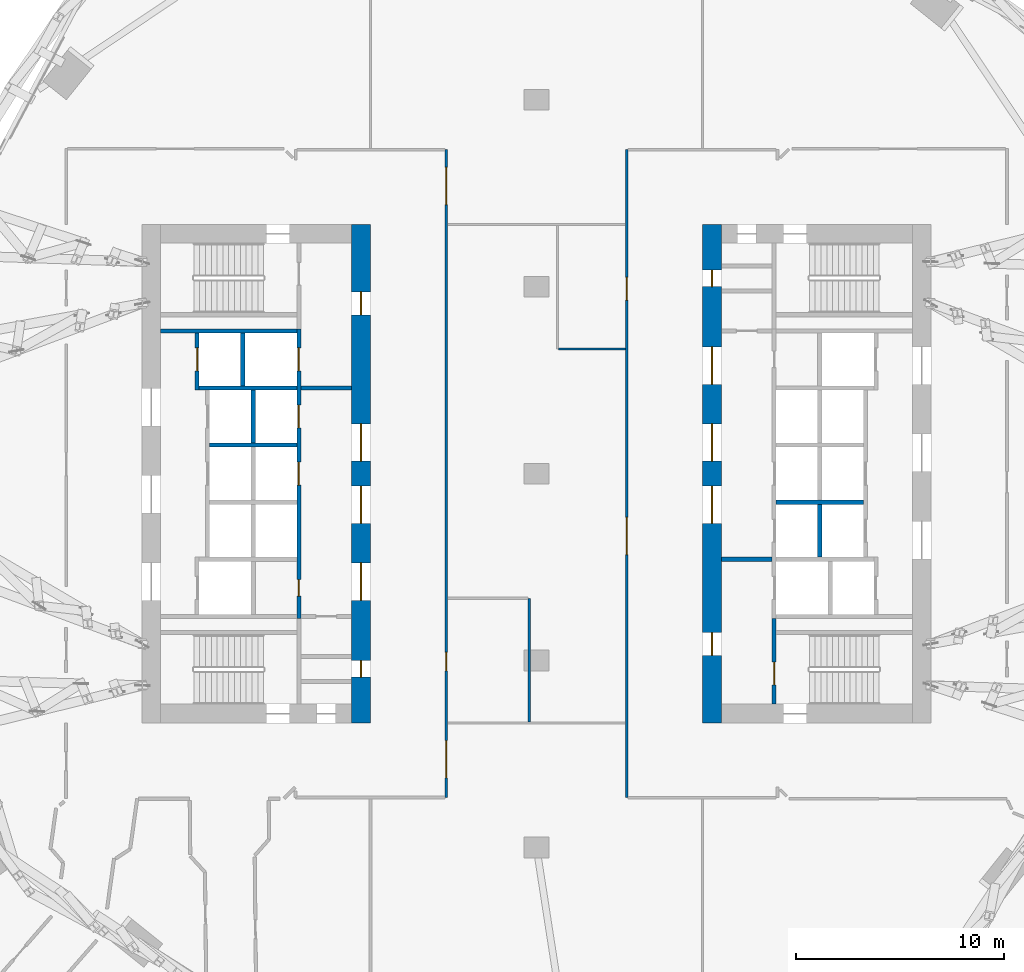
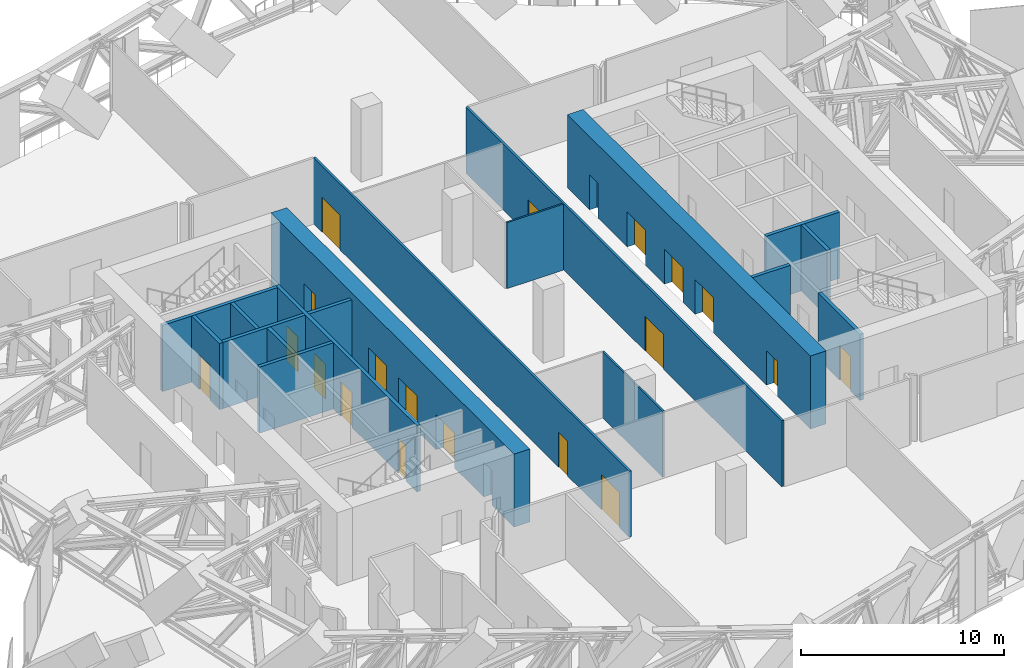
# One storey, part 26 of 34: 21 doors, 18 walls, 21 openings.
"""IFC4 building model written with IfcOpenShell, lengths in metres."""

import ifcopenshell
import ifcopenshell.guid

model = None  # the IFC model being written
_history = None  # IfcOwnerHistory: only IFC2X3 demands one
_inside = {}  # id of a spatial element -> (the spatial element, [elements in it])
_under = {}  # id of a project, library or spatial element -> (it, [spatial elements below it])
_declared = {}  # id of a project -> (the project, [libraries it declares])
_typed = {}  # id of a type object -> (the type object, [elements of that type])
_made_of = {}  # id of a material, layer set ... -> (it, [elements and type objects made of it])


def new_model(schema):
    """Start an empty IFC model of exactly this schema.

    Asked for "IFC4X3", IfcOpenShell would pick the latest addendum, in which some entities
    have other attributes; the version numbers below select the first issue.
    IFC2X3 requires an IfcOwnerHistory on every rooted entity: one is made here for all.
    """
    global model, _history
    if schema == "IFC4X3":
        model = ifcopenshell.file(schema_version=(4, 3, 0, 0))
    else:
        model = ifcopenshell.file(schema=schema)
    _inside.clear()
    _under.clear()
    _declared.clear()
    _typed.clear()
    _made_of.clear()
    _history = None
    if model.schema == "IFC2X3":
        org = make("IfcOrganization", Name="unknown")
        user = make(
            "IfcPersonAndOrganization",
            ThePerson=make("IfcPerson", FamilyName="unknown"),
            TheOrganization=org,
        )
        app = make(
            "IfcApplication",
            ApplicationDeveloper=org,
            Version="unknown",
            ApplicationFullName="unknown",
            ApplicationIdentifier="unknown",
        )
        _history = make(
            "IfcOwnerHistory",
            OwningUser=user,
            OwningApplication=app,
            ChangeAction="ADDED",
            CreationDate=0,
        )
    return model


def make(cls, **values):
    """One entity of the class cls with the attributes given. An attribute that is None is left unset."""
    return model.create_entity(
        cls, **{name: value for name, value in values.items() if value is not None}
    )


def rooted(cls, **values):
    """An entity with a GlobalId (a new one), such as an element, a storey or a relation."""
    return make(cls, GlobalId=ifcopenshell.guid.new(), OwnerHistory=_history, **values)


def si_unit(unit_type, name, prefix=None):
    """IfcSIUnit, for example si_unit("LENGTHUNIT", "METRE", prefix="MILLI")."""
    return make("IfcSIUnit", UnitType=unit_type, Prefix=prefix, Name=name)


def assignment(units):
    """IfcUnitAssignment: the units of a project."""
    return None if units is None else make("IfcUnitAssignment", Units=units)


def point(xyz):
    """IfcCartesianPoint."""
    return None if xyz is None else make("IfcCartesianPoint", Coordinates=xyz)


def direction(xyz):
    """IfcDirection."""
    return None if xyz is None else make("IfcDirection", DirectionRatios=xyz)


def frame(location, z_axis=None, x_axis=None):
    """IfcAxis2Placement3D, a coordinate frame: its origin and axes. An axis left out is left unset."""
    return make(
        "IfcAxis2Placement3D",
        Location=point(location),
        Axis=direction(z_axis),
        RefDirection=direction(x_axis),
    )


def frame_2d(location, x_axis=None):
    """IfcAxis2Placement2D, a coordinate frame in the plane: its origin and x axis."""
    return make(
        "IfcAxis2Placement2D", Location=point(location), RefDirection=direction(x_axis)
    )


def origin():
    """The frame at (0, 0, 0) with its axes left unset."""
    return frame((0.0, 0.0, 0.0))


def place(relative_to, where):
    """IfcLocalPlacement: puts the frame where relative to a parent placement (None: the world)."""
    return make(
        "IfcLocalPlacement", PlacementRelTo=relative_to, RelativePlacement=where
    )


def context(
    kind, dimensions, precision=None, world=None, true_north=None, identifier=None
):
    """IfcGeometricRepresentationContext, for example the 3D "Model" context."""
    return make(
        "IfcGeometricRepresentationContext",
        ContextIdentifier=identifier,
        ContextType=kind,
        CoordinateSpaceDimension=dimensions,
        Precision=precision,
        WorldCoordinateSystem=world,
        TrueNorth=true_north,
    )


def subcontext(parent, identifier, kind, view, scale=None):
    """IfcGeometricRepresentationSubContext, for example "Body" below "Model"."""
    return make(
        "IfcGeometricRepresentationSubContext",
        ContextIdentifier=identifier,
        ContextType=kind,
        ParentContext=parent,
        TargetScale=scale,
        TargetView=view,
    )


def project(units=None, contexts=None):
    """IfcProject with its units and contexts."""
    return rooted(
        "IfcProject",
        Name="project",
        RepresentationContexts=contexts,
        UnitsInContext=assignment(units),
    )


def spatial(cls, under=None, at=None, **own):
    """A site, building, storey or space (cls), placed at a placement, below another one or the project."""
    s = rooted(cls, ObjectPlacement=at, **own)
    if under is not None:
        _under.setdefault(under.id(), (under, []))[1].append(s)
    return s


def profile(cls, at=None, kind="AREA", **sizes):
    """A parametric profile (cls). Its sizes go by their IFC names, for example OverallWidth=200.0."""
    return make(cls, ProfileType=kind, Position=at, **sizes)


def rectangle(**sizes):
    """IfcRectangleProfileDef."""
    return profile("IfcRectangleProfileDef", **sizes)


def extrude(swept, where, along, depth):
    """IfcExtrudedAreaSolid: the profile swept, set in the frame where, extruded along a direction by depth."""
    return make(
        "IfcExtrudedAreaSolid",
        SweptArea=swept,
        Position=where,
        ExtrudedDirection=direction(along),
        Depth=depth,
    )


def shape(context_of_items, identifier, shape_type, items):
    """IfcShapeRepresentation: the items that make up one representation, for example the "Body"."""
    return make(
        "IfcShapeRepresentation",
        ContextOfItems=context_of_items,
        RepresentationIdentifier=identifier,
        RepresentationType=shape_type,
        Items=items,
    )


def material(Name=None, Category=None):
    """IfcMaterial."""
    return make("IfcMaterial", Name=Name, Category=Category)


def layer(
    of_material, thickness, ventilated=None, Name=None, Category=None, Priority=None
):
    """IfcMaterialLayer: one layer of a wall or slab, of a material (None: an air gap)."""
    return make(
        "IfcMaterialLayer",
        Material=of_material,
        LayerThickness=thickness,
        IsVentilated=ventilated,
        Name=Name,
        Category=Category,
        Priority=Priority,
    )


def layer_set(layers, Name=None):
    """IfcMaterialLayerSet."""
    return make("IfcMaterialLayerSet", MaterialLayers=layers, LayerSetName=Name)


def made_of(thing, what):
    """Note that an element or type object is made of a material, layer set ...; save() writes the relation."""
    if what is not None:
        _made_of.setdefault(what.id(), (what, []))[1].append(thing)
    return thing


def type_object(cls, material=None, **own):
    """A type object (cls), such as IfcWallType, which elements share."""
    return made_of(rooted(cls, **own), material)


def element(
    cls,
    number,
    at=None,
    inside=None,
    cuts=None,
    type_object=None,
    material=None,
    context=None,
    identifier="Body",
    shape_type=None,
    held_by="IfcProductDefinitionShape",
    body=None,
    shapes=None,
    **own,
):
    """One element of the class cls, such as IfcWall. Its Tag is "e" and its number.

    at: its placement. inside: the storey or other place that contains it. cuts: it is an
    opening in that element (IfcRelVoidsElement). A single representation is given by context,
    identifier, shape_type and body (its items); several are given by shapes. held_by: the class
    of the entity that holds the representations. save() writes the other relations.
    """
    e = rooted(cls, Tag="e%d" % number, ObjectPlacement=at, **own)
    if body is not None:
        shapes = [shape(context, identifier, shape_type, body)]
    if shapes is not None:
        e.Representation = make(held_by, Representations=shapes)
    if inside is not None:
        _inside.setdefault(inside.id(), (inside, []))[1].append(e)
    if cuts is not None:
        rooted(
            "IfcRelVoidsElement", RelatingBuildingElement=cuts, RelatedOpeningElement=e
        )
    if type_object is not None:
        _typed.setdefault(type_object.id(), (type_object, []))[1].append(e)
    return made_of(e, material)


def fill(opening, filler):
    """IfcRelFillsElement: the door or window that sits in an opening."""
    return rooted(
        "IfcRelFillsElement",
        RelatingOpeningElement=opening,
        RelatedBuildingElement=filler,
    )


def aggregate(whole, parts):
    """IfcRelAggregates: a whole, such as a stair, and the parts it consists of."""
    return rooted("IfcRelAggregates", RelatingObject=whole, RelatedObjects=parts)


def save(model, path):
    """Write the relations noted so far, then the file.

    IfcRelAggregates (storeys below a building ...), IfcRelContainedInSpatialStructure (elements
    in a storey), IfcRelDefinesByType, IfcRelAssociatesMaterial and IfcRelDeclares: one each for
    every whole, place, type object, material and project.
    """
    for whole, parts in _under.values():
        aggregate(whole, parts)
    for where, things in _inside.values():
        rooted(
            "IfcRelContainedInSpatialStructure",
            RelatedElements=things,
            RelatingStructure=where,
        )
    for kind, things in _typed.values():
        rooted("IfcRelDefinesByType", RelatedObjects=things, RelatingType=kind)
    for what, things in _made_of.values():
        rooted("IfcRelAssociatesMaterial", RelatedObjects=things, RelatingMaterial=what)
    for by, libraries in _declared.values():
        rooted("IfcRelDeclares", RelatingContext=by, RelatedDefinitions=libraries)
    model.write(path)


model = new_model("IFC4")

# Units and contexts
model_context = context("Model", 3, precision=1e-05, world=origin(), true_north=direction((0.0, 1.0)))
body_context = subcontext(model_context, "Body", "Model", "MODEL_VIEW")
ifc_project = project(units=[si_unit("LENGTHUNIT", "METRE"), si_unit("AREAUNIT", "SQUARE_METRE"), si_unit("VOLUMEUNIT", "CUBIC_METRE"), si_unit("PLANEANGLEUNIT", "RADIAN"), si_unit("MASSUNIT", "GRAM", prefix="KILO")], contexts=[model_context])

# Site, building, storey
site_placement = place(None, origin())
site = spatial("IfcSite", under=ifc_project, at=site_placement, CompositionType="ELEMENT")
building_placement = place(site_placement, origin())
building = spatial("IfcBuilding", under=site, at=building_placement, Name="Orlundy Tower", CompositionType="ELEMENT")
storey_placement = place(building_placement, frame((0.0, 0.0, 76.300048828125)))
storey = spatial("IfcBuildingStorey", under=building, at=storey_placement, Name="L18", CompositionType="ELEMENT", Elevation=76.300048828125)

# Wall, openings, doors
ifc_material_1 = material(Name="Concrete C80/95", Category="concrete")
ifc_layer_1 = layer(ifc_material_1, 0.89990234375)
ifc_layer_set_1 = layer_set([ifc_layer_1], Name="CORE WALL 900 C80/95")
wall_type_1 = type_object("IfcWallType", Name="CORE WALL 900 C80/95", PredefinedType="SHEAR", material=ifc_layer_set_1)
wall_1_placement = place(storey_placement, frame((-8.449951171875, -12.0, 0.0), z_axis=(0.0, 0.0, 1.0), x_axis=(0.0, 1.0, 0.0)))
wall_1 = element("IfcWall", 1, at=wall_1_placement, inside=storey, type_object=wall_type_1, Name="Core wall W-E L18", PredefinedType="SHEAR", context=body_context, shape_type="SweptSolid", body=[
    extrude(rectangle(XDim=24.0, YDim=0.89990234375, at=frame_2d((12.0, 0.0))), origin(), (0.0, 0.0, 1.0), 4.39990234375),
])
opening_1_placement = place(wall_1_placement, frame((9.60009765625, 0.0, 0.0)))
opening_1 = element("IfcOpeningElement", 2, at=opening_1_placement, cuts=wall_1, Name="Opening 15009", PredefinedType="OPENING", context=body_context, shape_type="SweptSolid", body=[
    extrude(rectangle(XDim=1.800048828125, YDim=2.10009765625, at=frame_2d((0.89990234375, 1.050048828125))), frame((0.0, 0.4599609375, 0.0), z_axis=(0.0, -1.0, 0.0), x_axis=(1.0, 0.0, 0.0)), (0.0, 0.0, 1.0), 0.919921875),
])
opening_2_placement = place(wall_1_placement, frame((5.89990234375, 0.0, 0.0)))
opening_2 = element("IfcOpeningElement", 3, at=opening_2_placement, cuts=wall_1, Name="Opening 15013", PredefinedType="OPENING", context=body_context, shape_type="SweptSolid", body=[
    extrude(rectangle(XDim=1.800048828125, YDim=2.10009765625, at=frame_2d((0.89990234375, 1.050048828125))), frame((0.0, 0.4599609375, 0.0), z_axis=(0.0, -1.0, 0.0), x_axis=(1.0, 0.0, 0.0)), (0.0, 0.0, 1.0), 0.919921875),
])
opening_3_placement = place(wall_1_placement, frame((12.60009765625, 0.0, 0.0)))
opening_3 = element("IfcOpeningElement", 4, at=opening_3_placement, cuts=wall_1, Name="Opening 15014", PredefinedType="OPENING", context=body_context, shape_type="SweptSolid", body=[
    extrude(rectangle(XDim=1.800048828125, YDim=2.10009765625, at=frame_2d((0.89990234375, 1.050048828125))), frame((0.0, 0.4599609375, 0.0), z_axis=(0.0, -1.0, 0.0), x_axis=(1.0, 0.0, 0.0)), (0.0, 0.0, 1.0), 0.919921875),
])
opening_4_placement = place(wall_1_placement, frame((19.64990234375, 0.0, 0.0)))
opening_4 = element("IfcOpeningElement", 5, at=opening_4_placement, cuts=wall_1, Name="Opening 15015", PredefinedType="OPENING", context=body_context, shape_type="SweptSolid", body=[
    extrude(rectangle(XDim=1.10009765625, YDim=2.10009765625, at=frame_2d((0.550048828125, 1.050048828125))), frame((0.0, 0.4599609375, 0.0), z_axis=(0.0, -1.0, 0.0), x_axis=(1.0, 0.0, 0.0)), (0.0, 0.0, 1.0), 0.919921875),
])
opening_5_placement = place(wall_1_placement, frame((2.199951171875, 0.0, 0.0)))
opening_5 = element("IfcOpeningElement", 6, at=opening_5_placement, cuts=wall_1, Name="Opening 15020", PredefinedType="OPENING", context=body_context, shape_type="SweptSolid", body=[
    extrude(rectangle(XDim=0.800048828125, YDim=2.10009765625, at=frame_2d((0.39990234375, 1.050048828125))), frame((0.0, 0.4599609375, 0.0), z_axis=(0.0, -1.0, 0.0), x_axis=(1.0, 0.0, 0.0)), (0.0, 0.0, 1.0), 0.919921875),
])
ifc_material_2 = material(Name="Steel door set", Category="steel")
door_type_1 = type_object("IfcDoorType", Name="Fire-fighting Lobby Door 1100x2100", OperationType="SINGLE_SWING_LEFT", PredefinedType="DOOR", material=ifc_material_2)
door_1_placement = place(opening_4_placement, origin())
door_1 = element("IfcDoor", 7, at=door_1_placement, inside=storey, type_object=door_type_1, Name="Fire-fighting lobby door 15015", OperationType="SINGLE_SWING_RIGHT", OverallHeight=2.10009765625, OverallWidth=1.10009765625, PredefinedType="DOOR", context=body_context, shape_type="SweptSolid", body=[
    extrude(rectangle(XDim=1.10009765625, YDim=2.10009765625, at=frame_2d((0.550048828125, 1.050048828125))), frame((0.0, 0.02490234375, 0.0), z_axis=(0.0, -1.0, 0.0), x_axis=(1.0, 0.0, 0.0)), (0.0, 0.0, 1.0), 0.050048828125),
])
fill(opening_4, door_1)
ifc_material_3 = material(Name="Timber door set", Category="wood")
door_type_2 = type_object("IfcDoorType", Name="Lobby Door 1800x2100", OperationType="DOUBLE_DOOR_DOUBLE_SWING", PredefinedType="DOOR", material=ifc_material_3)
door_2_placement = place(opening_1_placement, origin())
door_2 = element("IfcDoor", 8, at=door_2_placement, inside=storey, type_object=door_type_2, Name="Lift lobby door 15009", OperationType="SINGLE_SWING_LEFT", OverallHeight=2.10009765625, OverallWidth=1.800048828125, PredefinedType="DOOR", context=body_context, shape_type="SweptSolid", body=[
    extrude(rectangle(XDim=1.800048828125, YDim=2.10009765625, at=frame_2d((0.89990234375, 1.050048828125))), frame((0.0, 0.02490234375, 0.0), z_axis=(0.0, -1.0, 0.0), x_axis=(1.0, 0.0, 0.0)), (0.0, 0.0, 1.0), 0.050048828125),
])
fill(opening_1, door_2)
door_3_placement = place(opening_2_placement, origin())
door_3 = element("IfcDoor", 9, at=door_3_placement, inside=storey, type_object=door_type_2, Name="Lift lobby door 15013", OperationType="SINGLE_SWING_LEFT", OverallHeight=2.10009765625, OverallWidth=1.800048828125, PredefinedType="DOOR", context=body_context, shape_type="SweptSolid", body=[
    extrude(rectangle(XDim=1.800048828125, YDim=2.10009765625, at=frame_2d((0.89990234375, 1.050048828125))), frame((0.0, 0.02490234375, 0.0), z_axis=(0.0, -1.0, 0.0), x_axis=(1.0, 0.0, 0.0)), (0.0, 0.0, 1.0), 0.050048828125),
])
fill(opening_2, door_3)
door_4_placement = place(opening_3_placement, origin())
door_4 = element("IfcDoor", 10, at=door_4_placement, inside=storey, type_object=door_type_2, Name="Lift lobby door 15014", OperationType="SINGLE_SWING_RIGHT", OverallHeight=2.10009765625, OverallWidth=1.800048828125, PredefinedType="DOOR", context=body_context, shape_type="SweptSolid", body=[
    extrude(rectangle(XDim=1.800048828125, YDim=2.10009765625, at=frame_2d((0.89990234375, 1.050048828125))), frame((0.0, 0.02490234375, 0.0), z_axis=(0.0, -1.0, 0.0), x_axis=(1.0, 0.0, 0.0)), (0.0, 0.0, 1.0), 0.050048828125),
])
fill(opening_3, door_4)
ifc_material_4 = material(Name="Timber door set", Category="wood")
door_type_3 = type_object("IfcDoorType", Name="Riser Door 800x2100", OperationType="SINGLE_SWING_LEFT", PredefinedType="DOOR", material=ifc_material_4)
door_5_placement = place(opening_5_placement, origin())
door_5 = element("IfcDoor", 11, at=door_5_placement, inside=storey, type_object=door_type_3, Name="Door 15020", OperationType="SINGLE_SWING_LEFT", OverallHeight=2.10009765625, OverallWidth=0.800048828125, PredefinedType="DOOR", context=body_context, shape_type="SweptSolid", body=[
    extrude(rectangle(XDim=0.800048828125, YDim=2.10009765625, at=frame_2d((0.39990234375, 1.050048828125))), frame((0.0, 0.02490234375, 0.0), z_axis=(0.0, -1.0, 0.0), x_axis=(1.0, 0.0, 0.0)), (0.0, 0.0, 1.0), 0.050048828125),
])
fill(opening_5, door_5)

wall_2_placement = place(storey_placement, frame((8.449951171875, -12.0, 0.0), z_axis=(0.0, 0.0, 1.0), x_axis=(0.0, 1.0, 0.0)))
wall_2 = element("IfcWall", 12, at=wall_2_placement, inside=storey, type_object=wall_type_1, Name="Core wall E-W L18", PredefinedType="SHEAR", context=body_context, shape_type="SweptSolid", body=[
    extrude(rectangle(XDim=24.0, YDim=0.89990234375, at=frame_2d((12.0, 0.0))), origin(), (0.0, 0.0, 1.0), 4.39990234375),
])
opening_6_placement = place(wall_2_placement, frame((12.60009765625, 0.0, 0.0)))
opening_6 = element("IfcOpeningElement", 13, at=opening_6_placement, cuts=wall_2, Name="Opening 15058", PredefinedType="OPENING", context=body_context, shape_type="SweptSolid", body=[
    extrude(rectangle(XDim=1.800048828125, YDim=2.10009765625, at=frame_2d((0.89990234375, 1.050048828125))), frame((0.0, 0.4599609375, 0.0), z_axis=(0.0, -1.0, 0.0), x_axis=(1.0, 0.0, 0.0)), (0.0, 0.0, 1.0), 0.919921875),
])
opening_7_placement = place(wall_2_placement, frame((16.300048828125, 0.0, 0.0)))
opening_7 = element("IfcOpeningElement", 14, at=opening_7_placement, cuts=wall_2, Name="Opening 15062", PredefinedType="OPENING", context=body_context, shape_type="SweptSolid", body=[
    extrude(rectangle(XDim=1.800048828125, YDim=2.10009765625, at=frame_2d((0.89990234375, 1.050048828125))), frame((0.0, 0.4599609375, 0.0), z_axis=(0.0, -1.0, 0.0), x_axis=(1.0, 0.0, 0.0)), (0.0, 0.0, 1.0), 0.919921875),
])
opening_8_placement = place(wall_2_placement, frame((9.60009765625, 0.0, 0.0)))
opening_8 = element("IfcOpeningElement", 15, at=opening_8_placement, cuts=wall_2, Name="Opening 15063", PredefinedType="OPENING", context=body_context, shape_type="SweptSolid", body=[
    extrude(rectangle(XDim=1.800048828125, YDim=2.10009765625, at=frame_2d((0.89990234375, 1.050048828125))), frame((0.0, 0.4599609375, 0.0), z_axis=(0.0, -1.0, 0.0), x_axis=(1.0, 0.0, 0.0)), (0.0, 0.0, 1.0), 0.919921875),
])
opening_9_placement = place(wall_2_placement, frame((3.25, 0.0, 0.0)))
opening_9 = element("IfcOpeningElement", 16, at=opening_9_placement, cuts=wall_2, Name="Opening 15064", PredefinedType="OPENING", context=body_context, shape_type="SweptSolid", body=[
    extrude(rectangle(XDim=1.10009765625, YDim=2.10009765625, at=frame_2d((0.550048828125, 1.050048828125))), frame((0.0, 0.4599609375, 0.0), z_axis=(0.0, -1.0, 0.0), x_axis=(1.0, 0.0, 0.0)), (0.0, 0.0, 1.0), 0.919921875),
])
opening_10_placement = place(wall_2_placement, frame((21.0, 0.0, 0.0)))
opening_10 = element("IfcOpeningElement", 17, at=opening_10_placement, cuts=wall_2, Name="Opening 15069", PredefinedType="OPENING", context=body_context, shape_type="SweptSolid", body=[
    extrude(rectangle(XDim=0.800048828125, YDim=2.10009765625, at=frame_2d((0.39990234375, 1.050048828125))), frame((0.0, 0.4599609375, 0.0), z_axis=(0.0, -1.0, 0.0), x_axis=(1.0, 0.0, 0.0)), (0.0, 0.0, 1.0), 0.919921875),
])
door_6_placement = place(opening_9_placement, origin())
door_6 = element("IfcDoor", 18, at=door_6_placement, inside=storey, type_object=door_type_1, Name="Fire-fighting lobby door 15064", OperationType="SINGLE_SWING_LEFT", OverallHeight=2.10009765625, OverallWidth=1.10009765625, PredefinedType="DOOR", context=body_context, shape_type="SweptSolid", body=[
    extrude(rectangle(XDim=1.10009765625, YDim=2.10009765625, at=frame_2d((0.550048828125, 1.050048828125))), frame((0.0, 0.02490234375, 0.0), z_axis=(0.0, -1.0, 0.0), x_axis=(1.0, 0.0, 0.0)), (0.0, 0.0, 1.0), 0.050048828125),
])
fill(opening_9, door_6)
door_7_placement = place(opening_6_placement, origin())
door_7 = element("IfcDoor", 19, at=door_7_placement, inside=storey, type_object=door_type_2, Name="Lift lobby door 15058", OperationType="SINGLE_SWING_RIGHT", OverallHeight=2.10009765625, OverallWidth=1.800048828125, PredefinedType="DOOR", context=body_context, shape_type="SweptSolid", body=[
    extrude(rectangle(XDim=1.800048828125, YDim=2.10009765625, at=frame_2d((0.89990234375, 1.050048828125))), frame((0.0, 0.02490234375, 0.0), z_axis=(0.0, -1.0, 0.0), x_axis=(1.0, 0.0, 0.0)), (0.0, 0.0, 1.0), 0.050048828125),
])
fill(opening_6, door_7)
door_8_placement = place(opening_7_placement, origin())
door_8 = element("IfcDoor", 20, at=door_8_placement, inside=storey, type_object=door_type_2, Name="Lift lobby door 15062", OperationType="SINGLE_SWING_RIGHT", OverallHeight=2.10009765625, OverallWidth=1.800048828125, PredefinedType="DOOR", context=body_context, shape_type="SweptSolid", body=[
    extrude(rectangle(XDim=1.800048828125, YDim=2.10009765625, at=frame_2d((0.89990234375, 1.050048828125))), frame((0.0, 0.02490234375, 0.0), z_axis=(0.0, -1.0, 0.0), x_axis=(1.0, 0.0, 0.0)), (0.0, 0.0, 1.0), 0.050048828125),
])
fill(opening_7, door_8)
door_9_placement = place(opening_8_placement, origin())
door_9 = element("IfcDoor", 21, at=door_9_placement, inside=storey, type_object=door_type_2, Name="Lift lobby door 15063", OperationType="SINGLE_SWING_LEFT", OverallHeight=2.10009765625, OverallWidth=1.800048828125, PredefinedType="DOOR", context=body_context, shape_type="SweptSolid", body=[
    extrude(rectangle(XDim=1.800048828125, YDim=2.10009765625, at=frame_2d((0.89990234375, 1.050048828125))), frame((0.0, 0.02490234375, 0.0), z_axis=(0.0, -1.0, 0.0), x_axis=(1.0, 0.0, 0.0)), (0.0, 0.0, 1.0), 0.050048828125),
])
fill(opening_8, door_9)
door_10_placement = place(opening_10_placement, origin())
door_10 = element("IfcDoor", 22, at=door_10_placement, inside=storey, type_object=door_type_3, Name="Door 15069", OperationType="SINGLE_SWING_RIGHT", OverallHeight=2.10009765625, OverallWidth=0.800048828125, PredefinedType="DOOR", context=body_context, shape_type="SweptSolid", body=[
    extrude(rectangle(XDim=0.800048828125, YDim=2.10009765625, at=frame_2d((0.39990234375, 1.050048828125))), frame((0.0, 0.02490234375, 0.0), z_axis=(0.0, -1.0, 0.0), x_axis=(1.0, 0.0, 0.0)), (0.0, 0.0, 1.0), 0.050048828125),
])
fill(opening_10, door_10)

# Walls
ifc_material_5 = material(Name="Gypsum board partition")
ifc_layer_2 = layer(ifc_material_5, 0.10009765625)
ifc_layer_set_2 = layer_set([ifc_layer_2], Name="Floor partition 100")
wall_type_2 = type_object("IfcWallType", Name="Floor partition 100", PredefinedType="PARTITIONING", material=ifc_layer_set_2)
wall_3_placement = place(storey_placement, frame((1.068115234375, 6.0, 0.0), z_axis=(0.0, 0.0, 1.0), x_axis=(1.0, 0.0, 0.0)))
element("IfcWall", 23, at=wall_3_placement, inside=storey, type_object=wall_type_2, Name="wall-int-L18-045", PredefinedType="PARTITIONING", context=body_context, shape_type="SweptSolid", body=[
    extrude(rectangle(XDim=3.218994140625, YDim=0.10009765625, at=frame_2d((1.609375, 0.0))), origin(), (0.0, 0.0, 1.0), 3.97998046875),
])
wall_4_placement = place(storey_placement, frame((-0.35009765625, -11.949951171875, 0.0), z_axis=(0.0, 0.0, 1.0), x_axis=(0.0, 1.0, 0.0)))
element("IfcWall", 24, at=wall_4_placement, inside=storey, type_object=wall_type_2, Name="wall-int-L18-091", PredefinedType="PARTITIONING", context=body_context, shape_type="SweptSolid", body=[
    extrude(rectangle(XDim=5.949951171875, YDim=0.10009765625, at=frame_2d((2.97509765625, 0.0))), origin(), (0.0, 0.0, 1.0), 3.97998046875),
])

# Wall, openings, doors
ifc_material_6 = material(Name="Gypsum board partition, double layer")
ifc_layer_3 = layer(ifc_material_6, 0.125)
ifc_layer_set_3 = layer_set([ifc_layer_3], Name="Floor partition 125")
wall_type_3 = type_object("IfcWallType", Name="Floor partition 125", PredefinedType="PARTITIONING", material=ifc_layer_set_3)
wall_5_placement = place(storey_placement, frame((4.35009765625, -15.60009765625, 0.0), z_axis=(0.0, 0.0, 1.0), x_axis=(0.0, 1.0, 0.0)))
wall_5 = element("IfcWall", 25, at=wall_5_placement, inside=storey, type_object=wall_type_3, Name="wall-int-L18-089", PredefinedType="PARTITIONING", context=body_context, shape_type="SweptSolid", body=[
    extrude(rectangle(XDim=31.201171875, YDim=0.125, at=frame_2d((15.6005859375, 0.0))), origin(), (0.0, 0.0, 1.0), 3.97998046875),
])
opening_11_placement = place(wall_5_placement, frame((11.699951171875, 0.0, 0.0)))
opening_11 = element("IfcOpeningElement", 26, at=opening_11_placement, cuts=wall_5, Name="Opening 15127", PredefinedType="OPENING", context=body_context, shape_type="SweptSolid", body=[
    extrude(rectangle(XDim=1.800048828125, YDim=2.10009765625, at=frame_2d((0.89990234375, 1.050048828125))), frame((0.0, 0.072509765625, 0.0), z_axis=(0.0, -1.0, 0.0), x_axis=(1.0, 0.0, 0.0)), (0.0, 0.0, 1.0), 0.14501953125),
])
opening_12_placement = place(wall_5_placement, frame((23.949951171875, 0.0, 0.0)))
opening_12 = element("IfcOpeningElement", 27, at=opening_12_placement, cuts=wall_5, Name="Opening 15135", PredefinedType="OPENING", context=body_context, shape_type="SweptSolid", body=[
    extrude(rectangle(XDim=1.10009765625, YDim=2.10009765625, at=frame_2d((0.550048828125, 1.050048828125))), frame((0.0, 0.072509765625, 0.0), z_axis=(0.0, -1.0, 0.0), x_axis=(1.0, 0.0, 0.0)), (0.0, 0.0, 1.0), 0.14501953125),
])
ifc_material_7 = material(Name="Timber door leaf", Category="wood")
door_type_4 = type_object("IfcDoorType", Name="Floor door double 1800 FD30S", OperationType="NOTDEFINED", PredefinedType="DOOR", material=ifc_material_7)
door_11_placement = place(opening_11_placement, origin())
door_11 = element("IfcDoor", 28, at=door_11_placement, inside=storey, type_object=door_type_4, Name="Door 15127", OperationType="DOUBLE_DOOR_SINGLE_SWING", OverallHeight=2.10009765625, OverallWidth=1.800048828125, PredefinedType="DOOR", context=body_context, shape_type="SweptSolid", body=[
    extrude(rectangle(XDim=1.800048828125, YDim=2.10009765625, at=frame_2d((0.89990234375, 1.050048828125))), frame((0.0, 0.02490234375, 0.0), z_axis=(0.0, -1.0, 0.0), x_axis=(1.0, 0.0, 0.0)), (0.0, 0.0, 1.0), 0.050048828125),
])
fill(opening_11, door_11)
ifc_material_8 = material(Name="Timber door leaf", Category="wood")
door_type_5 = type_object("IfcDoorType", Name="Floor door xwide 1100 FD30S", OperationType="NOTDEFINED", PredefinedType="DOOR", material=ifc_material_8)
door_12_placement = place(opening_12_placement, origin())
door_12 = element("IfcDoor", 29, at=door_12_placement, inside=storey, type_object=door_type_5, Name="Door 15135", OperationType="SINGLE_SWING_RIGHT", OverallHeight=2.10009765625, OverallWidth=1.10009765625, PredefinedType="DOOR", context=body_context, shape_type="SweptSolid", body=[
    extrude(rectangle(XDim=1.10009765625, YDim=2.10009765625, at=frame_2d((0.550048828125, 1.050048828125))), frame((0.0, 0.02490234375, 0.0), z_axis=(0.0, -1.0, 0.0), x_axis=(1.0, 0.0, 0.0)), (0.0, 0.0, 1.0), 0.050048828125),
])
fill(opening_12, door_12)

wall_6_placement = place(storey_placement, frame((-4.34912109375, 15.60009765625, 0.0), z_axis=(0.0, 0.0, 1.0), x_axis=(0.0, -1.0, 0.0)))
wall_6 = element("IfcWall", 30, at=wall_6_placement, inside=storey, type_object=wall_type_3, Name="wall-int-L18-092", PredefinedType="PARTITIONING", context=body_context, shape_type="SweptSolid", body=[
    extrude(rectangle(XDim=31.2001953125, YDim=0.125, at=frame_2d((15.60009765625, 0.0))), origin(), (0.0, 0.0, 1.0), 3.97998046875),
])
opening_13_placement = place(wall_6_placement, frame((28.449951171875, 0.0, 0.0)))
opening_13 = element("IfcOpeningElement", 31, at=opening_13_placement, cuts=wall_6, Name="Opening 15122", PredefinedType="OPENING", context=body_context, shape_type="SweptSolid", body=[
    extrude(rectangle(XDim=1.800048828125, YDim=2.10009765625, at=frame_2d((0.89990234375, 1.050048828125))), frame((0.0, 0.072509765625, 0.0), z_axis=(0.0, -1.0, 0.0), x_axis=(1.0, 0.0, 0.0)), (0.0, 0.0, 1.0), 0.14501953125),
])
opening_14_placement = place(wall_6_placement, frame((0.85009765625, 0.0, 0.0)))
opening_14 = element("IfcOpeningElement", 32, at=opening_14_placement, cuts=wall_6, Name="Opening 15130", PredefinedType="OPENING", context=body_context, shape_type="SweptSolid", body=[
    extrude(rectangle(XDim=1.800048828125, YDim=2.10009765625, at=frame_2d((0.89990234375, 1.050048828125))), frame((0.0, 0.072509765625, 0.0), z_axis=(0.0, -1.0, 0.0), x_axis=(1.0, 0.0, 0.0)), (0.0, 0.0, 1.0), 0.14501953125),
])
opening_15_placement = place(wall_6_placement, frame((24.199951171875, 0.0, 0.0)))
opening_15 = element("IfcOpeningElement", 33, at=opening_15_placement, cuts=wall_6, Name="Opening 15134", PredefinedType="OPENING", context=body_context, shape_type="SweptSolid", body=[
    extrude(rectangle(XDim=0.89990234375, YDim=2.10009765625, at=frame_2d((0.449951171875, 1.050048828125))), frame((0.0, 0.072509765625, 0.0), z_axis=(0.0, -1.0, 0.0), x_axis=(1.0, 0.0, 0.0)), (0.0, 0.0, 1.0), 0.14501953125),
])
door_13_placement = place(opening_13_placement, origin())
door_13 = element("IfcDoor", 34, at=door_13_placement, inside=storey, type_object=door_type_4, Name="Door 15122", OperationType="DOUBLE_DOOR_SINGLE_SWING", OverallHeight=2.10009765625, OverallWidth=1.800048828125, PredefinedType="DOOR", context=body_context, shape_type="SweptSolid", body=[
    extrude(rectangle(XDim=1.800048828125, YDim=2.10009765625, at=frame_2d((0.89990234375, 1.050048828125))), frame((0.0, 0.02490234375, 0.0), z_axis=(0.0, -1.0, 0.0), x_axis=(1.0, 0.0, 0.0)), (0.0, 0.0, 1.0), 0.050048828125),
])
fill(opening_13, door_13)
door_14_placement = place(opening_14_placement, origin())
door_14 = element("IfcDoor", 35, at=door_14_placement, inside=storey, type_object=door_type_4, Name="Door 15130", OperationType="DOUBLE_DOOR_SINGLE_SWING", OverallHeight=2.10009765625, OverallWidth=1.800048828125, PredefinedType="DOOR", context=body_context, shape_type="SweptSolid", body=[
    extrude(rectangle(XDim=1.800048828125, YDim=2.10009765625, at=frame_2d((0.89990234375, 1.050048828125))), frame((0.0, 0.02490234375, 0.0), z_axis=(0.0, -1.0, 0.0), x_axis=(1.0, 0.0, 0.0)), (0.0, 0.0, 1.0), 0.050048828125),
])
fill(opening_14, door_14)
ifc_material_9 = material(Name="Timber door leaf", Category="wood")
door_type_6 = type_object("IfcDoorType", Name="Floor door single 900 FD30S", OperationType="NOTDEFINED", PredefinedType="DOOR", material=ifc_material_9)
door_15_placement = place(opening_15_placement, origin())
door_15 = element("IfcDoor", 36, at=door_15_placement, inside=storey, type_object=door_type_6, Name="Door 15134", OperationType="SINGLE_SWING_RIGHT", OverallHeight=2.10009765625, OverallWidth=0.89990234375, PredefinedType="DOOR", context=body_context, shape_type="SweptSolid", body=[
    extrude(rectangle(XDim=0.89990234375, YDim=2.10009765625, at=frame_2d((0.449951171875, 1.050048828125))), frame((0.0, 0.02490234375, 0.0), z_axis=(0.0, -1.0, 0.0), x_axis=(1.0, 0.0, 0.0)), (0.0, 0.0, 1.0), 0.050048828125),
])
fill(opening_15, door_15)

# Wall, opening, door
ifc_material_10 = material(Name="Concrete C40/50", Category="concrete")
ifc_layer_4 = layer(ifc_material_10, 0.199951171875)
ifc_layer_set_4 = layer_set([ifc_layer_4], Name="Load-bearing Shaft Wall 200")
wall_type_4 = type_object("IfcWallType", Name="Load-bearing Shaft Wall 200", PredefinedType="SOLIDWALL", material=ifc_layer_set_4)
wall_7_placement = place(storey_placement, frame((11.43994140625, -6.97509765625, 0.0), z_axis=(0.0, 0.0, 1.0), x_axis=(0.0, -1.0, 0.0)))
wall_7 = element("IfcWall", 37, at=wall_7_placement, inside=storey, type_object=wall_type_4, Name="Shaft wall E15-stair-end-n", PredefinedType="SOLIDWALL", context=body_context, shape_type="SweptSolid", body=[
    extrude(rectangle(XDim=4.125, YDim=0.199951171875, at=frame_2d((2.0625, 0.0))), origin(), (0.0, 0.0, 1.0), 3.989990234375),
])
opening_16_placement = place(wall_7_placement, frame((2.10009765625, 0.0, 0.0)))
opening_16 = element("IfcOpeningElement", 38, at=opening_16_placement, cuts=wall_7, Name="Opening 15067", PredefinedType="OPENING", context=body_context, shape_type="SweptSolid", body=[
    extrude(rectangle(XDim=1.10009765625, YDim=2.10009765625, at=frame_2d((0.550048828125, 1.050048828125))), frame((0.0, 0.110107421875, 0.0), z_axis=(0.0, -1.0, 0.0), x_axis=(1.0, 0.0, 0.0)), (0.0, 0.0, 1.0), 0.22021484375),
])
door_16_placement = place(opening_16_placement, origin())
door_16 = element("IfcDoor", 39, at=door_16_placement, inside=storey, type_object=door_type_1, Name="Fire-fighting lobby to stair door 15067", OperationType="SINGLE_SWING_RIGHT", OverallHeight=2.10009765625, OverallWidth=1.10009765625, PredefinedType="DOOR", context=body_context, shape_type="SweptSolid", body=[
    extrude(rectangle(XDim=1.10009765625, YDim=2.10009765625, at=frame_2d((0.550048828125, 1.050048828125))), frame((0.0, 0.02490234375, 0.0), z_axis=(0.0, -1.0, 0.0), x_axis=(1.0, 0.0, 0.0)), (0.0, 0.0, 1.0), 0.050048828125),
])
fill(opening_16, door_16)

# Walls
ifc_material_11 = material(Name="Gypsum board partition on steel studs", Category="steel")
ifc_layer_5 = layer(ifc_material_11, 0.199951171875)
ifc_layer_set_5 = layer_set([ifc_layer_5], Name="Partition 200")
wall_type_5 = type_object("IfcWallType", Name="Partition 200", PredefinedType="PARTITIONING", material=ifc_layer_set_5)
for number, where, z_axis, x_axis, name in (
    (40, (-8.89990234375, 4.125, 0.0), (0.0, 0.0, 1.0), (-1.0, 0.0, 0.0), "Partition wall W15-lobby-n"),
    (41, (8.89990234375, -4.125, 0.0), (0.0, 0.0, 1.0), (1.0, 0.0, 0.0), "Partition wall E15-lobby-n"),
):
    element("IfcWall", number, at=place(storey_placement, frame(where, z_axis=z_axis, x_axis=x_axis)), inside=storey, type_object=wall_type_5, Name=name, PredefinedType="PARTITIONING", context=body_context, shape_type="SweptSolid", body=[
        extrude(rectangle(XDim=2.440185546875, YDim=0.199951171875, at=frame_2d((1.22021484375, 0.0))), origin(), (0.0, 0.0, 1.0), 3.989990234375),
    ])
ifc_material_12 = material(Name="Fire-rated blockwork shaft wall", Category="masonry")
ifc_layer_6 = layer(ifc_material_12, 0.199951171875)
ifc_layer_set_6 = layer_set([ifc_layer_6], Name="Shaft Wall 200")
wall_type_6 = type_object("IfcWallType", Name="Shaft Wall 200", PredefinedType="SOLIDWALL", material=ifc_layer_set_6)
wall_8_placement = place(storey_placement, frame((-11.5400390625, 6.875, 0.0), z_axis=(0.0, 0.0, 1.0), x_axis=(-1.0, 0.0, 0.0)))
element("IfcWall", 42, at=wall_8_placement, inside=storey, type_object=wall_type_6, Name="Shaft wall W15-zone-n", PredefinedType="SOLIDWALL", context=body_context, shape_type="SweptSolid", body=[
    extrude(rectangle(XDim=6.56005859375, YDim=0.199951171875, at=frame_2d((3.280029296875, 0.0))), origin(), (0.0, 0.0, 1.0), 3.989990234375),
])
wall_9_placement = place(storey_placement, frame((-11.5400390625, 1.375, 0.0), z_axis=(0.0, 0.0, 1.0), x_axis=(-1.0, 0.0, 0.0)))
element("IfcWall", 43, at=wall_9_placement, inside=storey, type_object=wall_type_6, Name="Shaft wall W15-cross+1.375", PredefinedType="SOLIDWALL", context=body_context, shape_type="SweptSolid", body=[
    extrude(rectangle(XDim=4.199951171875, YDim=0.199951171875, at=frame_2d((2.10009765625, 0.0))), origin(), (0.0, 0.0, 1.0), 3.989990234375),
])
wall_10_placement = place(storey_placement, frame((-11.5400390625, 4.125, 0.0), z_axis=(0.0, 0.0, 1.0), x_axis=(-1.0, 0.0, 0.0)))
element("IfcWall", 44, at=wall_10_placement, inside=storey, type_object=wall_type_6, Name="Shaft wall W15-cross+4.125", PredefinedType="SOLIDWALL", context=body_context, shape_type="SweptSolid", body=[
    extrude(rectangle(XDim=4.699951171875, YDim=0.199951171875, at=frame_2d((2.35009765625, 0.0))), origin(), (0.0, 0.0, 1.0), 3.989990234375),
])

# Wall, openings, doors
wall_11_placement = place(storey_placement, frame((-11.43994140625, -6.97509765625, 0.0), z_axis=(0.0, 0.0, 1.0), x_axis=(0.0, 1.0, 0.0)))
wall_11 = element("IfcWall", 45, at=wall_11_placement, inside=storey, type_object=wall_type_6, Name="Shaft wall W15-front-h", PredefinedType="SOLIDWALL", context=body_context, shape_type="SweptSolid", body=[
    extrude(rectangle(XDim=13.9501953125, YDim=0.199951171875, at=frame_2d((6.97509765625, 0.0))), origin(), (0.0, 0.0, 1.0), 3.989990234375),
])
opening_17_placement = place(wall_11_placement, frame((6.425048828125, 0.0, 0.0)))
opening_17 = element("IfcOpeningElement", 46, at=opening_17_placement, cuts=wall_11, Name="Opening 15002", PredefinedType="OPENING", context=body_context, shape_type="SweptSolid", body=[
    extrude(rectangle(XDim=1.10009765625, YDim=2.10009765625, at=frame_2d((0.550048828125, 1.050048828125))), frame((0.0, 0.110107421875, 0.0), z_axis=(0.0, -1.0, 0.0), x_axis=(1.0, 0.0, 0.0)), (0.0, 0.0, 1.0), 0.22021484375),
])
opening_18_placement = place(wall_11_placement, frame((9.175048828125, 0.0, 0.0)))
opening_18 = element("IfcOpeningElement", 47, at=opening_18_placement, cuts=wall_11, Name="Opening 15004", PredefinedType="OPENING", context=body_context, shape_type="SweptSolid", body=[
    extrude(rectangle(XDim=1.10009765625, YDim=2.10009765625, at=frame_2d((0.550048828125, 1.050048828125))), frame((0.0, 0.110107421875, 0.0), z_axis=(0.0, -1.0, 0.0), x_axis=(1.0, 0.0, 0.0)), (0.0, 0.0, 1.0), 0.22021484375),
])
opening_19_placement = place(wall_11_placement, frame((11.925048828125, 0.0, 0.0)))
opening_19 = element("IfcOpeningElement", 48, at=opening_19_placement, cuts=wall_11, Name="Opening 15006", PredefinedType="OPENING", context=body_context, shape_type="SweptSolid", body=[
    extrude(rectangle(XDim=1.10009765625, YDim=2.10009765625, at=frame_2d((0.550048828125, 1.050048828125))), frame((0.0, 0.110107421875, 0.0), z_axis=(0.0, -1.0, 0.0), x_axis=(1.0, 0.0, 0.0)), (0.0, 0.0, 1.0), 0.22021484375),
])
opening_20_placement = place(wall_11_placement, frame((1.074951171875, 0.0, 0.0)))
opening_20 = element("IfcOpeningElement", 49, at=opening_20_placement, cuts=wall_11, Name="Opening 15008", PredefinedType="OPENING", context=body_context, shape_type="SweptSolid", body=[
    extrude(rectangle(XDim=0.800048828125, YDim=2.10009765625, at=frame_2d((0.39990234375, 1.050048828125))), frame((0.0, 0.110107421875, 0.0), z_axis=(0.0, -1.0, 0.0), x_axis=(1.0, 0.0, 0.0)), (0.0, 0.0, 1.0), 0.22021484375),
])
ifc_material_13 = material(Name="Steel door set", Category="steel")
door_type_7 = type_object("IfcDoorType", Name="Landing Door 1100x2100", OperationType="DOUBLE_DOOR_SLIDING", PredefinedType="DOOR", material=ifc_material_13)
door_17_placement = place(opening_17_placement, origin())
door_17 = element("IfcDoor", 50, at=door_17_placement, inside=storey, type_object=door_type_7, Name="Lift landing door LP-05 15002", OperationType="DOUBLE_DOOR_SLIDING", OverallHeight=2.10009765625, OverallWidth=1.10009765625, PredefinedType="DOOR", context=body_context, shape_type="SweptSolid", body=[
    extrude(rectangle(XDim=1.10009765625, YDim=2.10009765625, at=frame_2d((0.550048828125, 1.050048828125))), frame((0.0, 0.02490234375, 0.0), z_axis=(0.0, -1.0, 0.0), x_axis=(1.0, 0.0, 0.0)), (0.0, 0.0, 1.0), 0.050048828125),
])
fill(opening_17, door_17)
door_18_placement = place(opening_18_placement, origin())
door_18 = element("IfcDoor", 51, at=door_18_placement, inside=storey, type_object=door_type_7, Name="Lift landing door LP-02 15004", OperationType="DOUBLE_DOOR_SLIDING", OverallHeight=2.10009765625, OverallWidth=1.10009765625, PredefinedType="DOOR", context=body_context, shape_type="SweptSolid", body=[
    extrude(rectangle(XDim=1.10009765625, YDim=2.10009765625, at=frame_2d((0.550048828125, 1.050048828125))), frame((0.0, 0.02490234375, 0.0), z_axis=(0.0, -1.0, 0.0), x_axis=(1.0, 0.0, 0.0)), (0.0, 0.0, 1.0), 0.050048828125),
])
fill(opening_18, door_18)
door_19_placement = place(opening_19_placement, origin())
door_19 = element("IfcDoor", 52, at=door_19_placement, inside=storey, type_object=door_type_7, Name="Lift landing door FL1 15006", OperationType="DOUBLE_DOOR_SLIDING", OverallHeight=2.10009765625, OverallWidth=1.10009765625, PredefinedType="DOOR", context=body_context, shape_type="SweptSolid", body=[
    extrude(rectangle(XDim=1.10009765625, YDim=2.10009765625, at=frame_2d((0.550048828125, 1.050048828125))), frame((0.0, 0.02490234375, 0.0), z_axis=(0.0, -1.0, 0.0), x_axis=(1.0, 0.0, 0.0)), (0.0, 0.0, 1.0), 0.050048828125),
])
fill(opening_19, door_19)
door_20_placement = place(opening_20_placement, origin())
door_20 = element("IfcDoor", 53, at=door_20_placement, inside=storey, type_object=door_type_3, Name="Electrical Riser Room door 15008", OperationType="SINGLE_SWING_LEFT", OverallHeight=2.10009765625, OverallWidth=0.800048828125, PredefinedType="DOOR", context=body_context, shape_type="SweptSolid", body=[
    extrude(rectangle(XDim=0.800048828125, YDim=2.10009765625, at=frame_2d((0.39990234375, 1.050048828125))), frame((0.0, 0.02490234375, 0.0), z_axis=(0.0, -1.0, 0.0), x_axis=(1.0, 0.0, 0.0)), (0.0, 0.0, 1.0), 0.050048828125),
])
fill(opening_20, door_20)

# Walls
for number, where, z_axis, x_axis, name in (
    (54, (-13.639892578125, 1.47509765625, 0.0), (0.0, 0.0, 1.0), (0.0, 1.0, 0.0), "Shaft wall W15-mid-a.3"),
    (55, (-14.139892578125, 4.22509765625, 0.0), (0.0, 0.0, 1.0), (0.0, 1.0, 0.0), "Shaft wall W15-mid-b"),
):
    element("IfcWall", number, at=place(storey_placement, frame(where, z_axis=z_axis, x_axis=x_axis)), inside=storey, type_object=wall_type_6, Name=name, PredefinedType="SOLIDWALL", context=body_context, shape_type="SweptSolid", body=[
        extrude(rectangle(XDim=2.5498046875, YDim=0.199951171875, at=frame_2d((1.27490234375, 0.0))), origin(), (0.0, 0.0, 1.0), 3.989990234375),
    ])

# Wall, opening, door
wall_12_placement = place(storey_placement, frame((-16.340087890625, 4.02490234375, 0.0), z_axis=(0.0, 0.0, 1.0), x_axis=(0.0, 1.0, 0.0)))
wall_12 = element("IfcWall", 56, at=wall_12_placement, inside=storey, type_object=wall_type_6, Name="Shaft wall W15-front-o-c", PredefinedType="SOLIDWALL", context=body_context, shape_type="SweptSolid", body=[
    extrude(rectangle(XDim=2.75, YDim=0.199951171875, at=frame_2d((1.375, 0.0))), origin(), (0.0, 0.0, 1.0), 3.989990234375),
])
opening_21_placement = place(wall_12_placement, frame((0.925048828125, 0.0, 0.0)))
opening_21 = element("IfcOpeningElement", 57, at=opening_21_placement, cuts=wall_12, Name="Opening 15007", PredefinedType="OPENING", context=body_context, shape_type="SweptSolid", body=[
    extrude(rectangle(XDim=1.10009765625, YDim=2.10009765625, at=frame_2d((0.550048828125, 1.050048828125))), frame((0.0, 0.110107421875, 0.0), z_axis=(0.0, -1.0, 0.0), x_axis=(1.0, 0.0, 0.0)), (0.0, 0.0, 1.0), 0.22021484375),
])
door_21_placement = place(opening_21_placement, origin())
door_21 = element("IfcDoor", 58, at=door_21_placement, inside=storey, type_object=door_type_7, Name="Lift landing door LP-04 15007", OperationType="DOUBLE_DOOR_SLIDING", OverallHeight=2.10009765625, OverallWidth=1.10009765625, PredefinedType="DOOR", context=body_context, shape_type="SweptSolid", body=[
    extrude(rectangle(XDim=1.10009765625, YDim=2.10009765625, at=frame_2d((0.550048828125, 1.050048828125))), frame((0.0, 0.02490234375, 0.0), z_axis=(0.0, -1.0, 0.0), x_axis=(1.0, 0.0, 0.0)), (0.0, 0.0, 1.0), 0.050048828125),
])
fill(opening_21, door_21)

# Walls
wall_13_placement = place(storey_placement, frame((11.5400390625, -1.375, 0.0), z_axis=(0.0, 0.0, 1.0), x_axis=(1.0, 0.0, 0.0)))
element("IfcWall", 59, at=wall_13_placement, inside=storey, type_object=wall_type_6, Name="Shaft wall E15-cross+1.375", PredefinedType="SOLIDWALL", context=body_context, shape_type="SweptSolid", body=[
    extrude(rectangle(XDim=4.199951171875, YDim=0.199951171875, at=frame_2d((2.10009765625, 0.0))), origin(), (0.0, 0.0, 1.0), 3.989990234375),
])
wall_14_placement = place(storey_placement, frame((13.639892578125, -1.47509765625, 0.0), z_axis=(0.0, 0.0, 1.0), x_axis=(0.0, -1.0, 0.0)))
element("IfcWall", 60, at=wall_14_placement, inside=storey, type_object=wall_type_6, Name="Shaft wall E15-mid-a.3", PredefinedType="SOLIDWALL", context=body_context, shape_type="SweptSolid", body=[
    extrude(rectangle(XDim=2.5498046875, YDim=0.199951171875, at=frame_2d((1.27490234375, 0.0))), origin(), (0.0, 0.0, 1.0), 3.989990234375),
])

save(model, "model.ifc")
